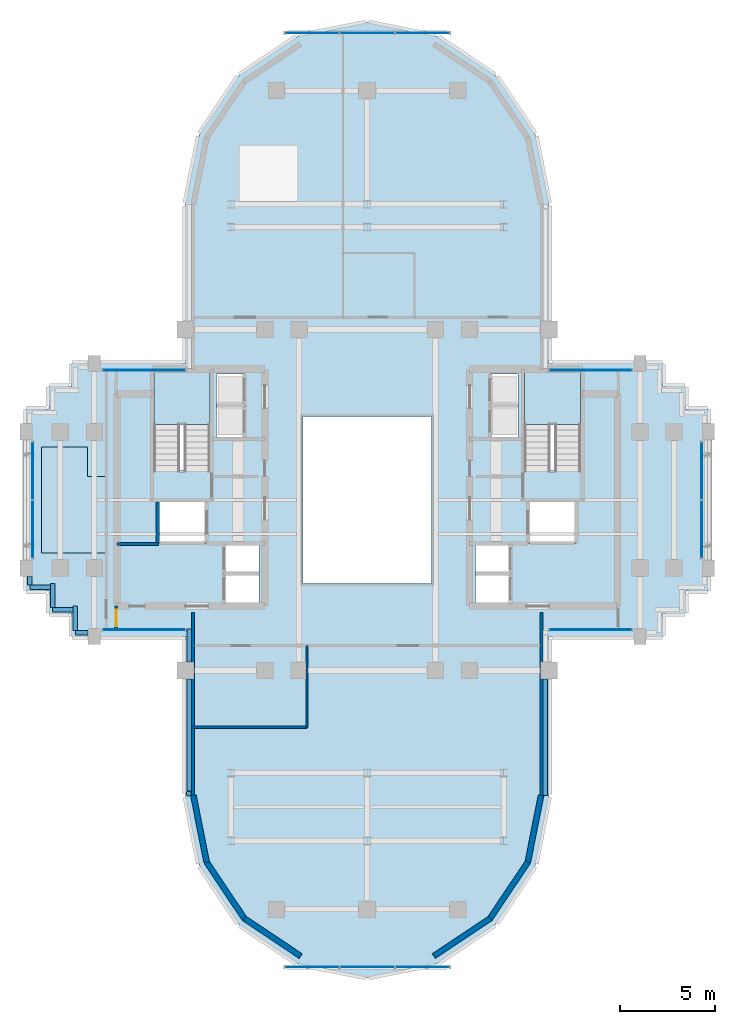
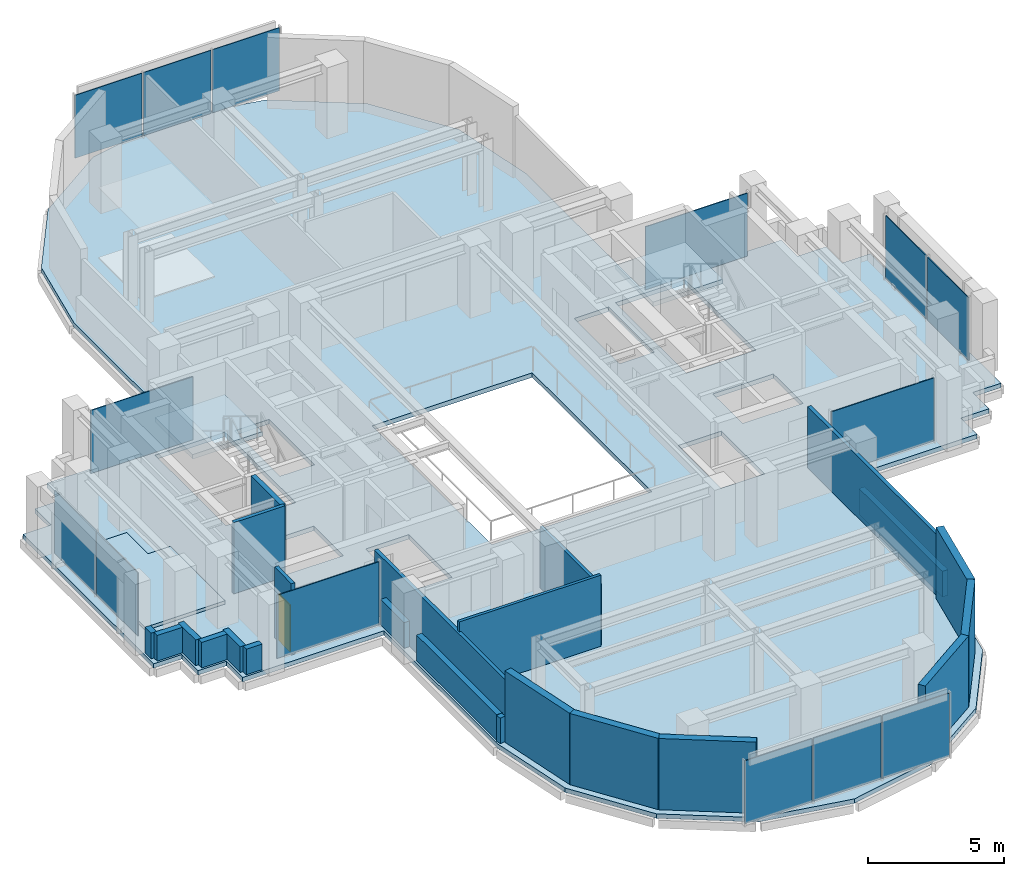
# One storey, part 5 of 12: 23 walls, 14 plates, 4 slabs, 1 door, 1 opening, 10 elements without a shape of their own.
"""IFC4 building model written with IfcOpenShell, lengths in metres."""

from ifc_helpers import new_model, si_unit, direction, frame, frame_2d, origin, origin_2d, place, context, subcontext, project, spatial, polyline, rectangle, outline, extrude, source, transform, mapped, material, layer, layer_set, type_object, element, fill, aggregate, save


model = new_model("IFC4")

# Units and contexts
model_context = context("Model", 3, precision=1e-05, world=origin(), true_north=direction((0.0, 1.0)))
body_context = subcontext(model_context, "Body", "Model", "MODEL_VIEW")
ifc_project = project(units=[si_unit("LENGTHUNIT", "METRE"), si_unit("AREAUNIT", "SQUARE_METRE"), si_unit("VOLUMEUNIT", "CUBIC_METRE"), si_unit("PLANEANGLEUNIT", "RADIAN"), si_unit("MASSUNIT", "GRAM", prefix="KILO")], contexts=[model_context])

# Site, building, storey
site_placement = place(None, origin())
site = spatial("IfcSite", under=ifc_project, at=site_placement, CompositionType="ELEMENT")
building_placement = place(site_placement, origin())
building = spatial("IfcBuilding", under=site, at=building_placement, Name="Keilestroom Media Tower", CompositionType="ELEMENT")
storey_placement = place(building_placement, frame((0.0, 0.0, 177.39990234375)))
storey = spatial("IfcBuildingStorey", under=building, at=storey_placement, Name="L48", CompositionType="ELEMENT", Elevation=177.39990234375)

# Slabs
ifc_material_1 = material(Name="Concrete C50/60", Category="concrete")
ifc_layer_1 = layer(ifc_material_1, 0.199951171875)
ifc_layer_set_1 = layer_set([ifc_layer_1], Name="Concrete C50/60")
slab_type_1 = type_object("IfcSlabType", Name="Composite-Floor-Slab-200", PredefinedType="FLOOR", material=ifc_layer_set_1)
slab_1_placement = place(storey_placement, frame((0.0, 0.0, -0.199951171875)))
element("IfcSlab", 1, at=slab_1_placement, inside=storey, type_object=slab_type_1, Name="L48 Structural Composite Floor Slab", PredefinedType="FLOOR", context=body_context, shape_type="SweptSolid", body=[
    extrude(outline(polyline([(18.0, -4.800048828125), (18.0, 4.800048828125), (16.800048828125, 4.800048828125), (16.800048828125, 6.0), (15.60009765625, 6.0), (15.60009765625, 7.199951171875), (9.60009765625, 7.199951171875), (9.60009765625, 9.60009765625), (9.60009765625, 15.60009765625), (8.869140625, 19.273681640625), (6.7880859375, 22.38818359375), (3.673828125, 24.46923828125), (0.0, 25.199951171875), (-3.673828125, 24.46923828125), (-6.7880859375, 22.38818359375), (-8.869140625, 19.273681640625), (-9.60009765625, 15.60009765625), (-9.60009765625, 9.60009765625), (-9.60009765625, 7.199951171875), (-15.60009765625, 7.199951171875), (-15.60009765625, 6.0), (-16.800048828125, 6.0), (-16.800048828125, 4.800048828125), (-18.0, 4.800048828125), (-18.0, -4.800048828125), (-16.800048828125, -4.800048828125), (-16.800048828125, -6.0), (-15.60009765625, -6.0), (-15.60009765625, -7.199951171875), (-9.60009765625, -7.199951171875), (-9.60009765625, -9.60009765625), (-9.60009765625, -15.60009765625), (-8.869140625, -19.273681640625), (-6.7880859375, -22.38818359375), (-3.673828125, -24.46923828125), (0.0, -25.199951171875), (3.673828125, -24.46923828125), (6.7880859375, -22.38818359375), (8.869140625, -19.273681640625), (9.60009765625, -15.60009765625), (9.60009765625, -9.60009765625), (9.60009765625, -7.199951171875), (15.60009765625, -7.199951171875), (15.60009765625, -6.0), (16.800048828125, -6.0), (16.800048828125, -4.800048828125), (18.0, -4.800048828125)]), holes=[polyline([(-11.260009765625, 1.544921875), (-11.260009765625, 6.760009765625), (-8.300048828125, 6.760009765625), (-8.300048828125, 1.544921875), (-11.260009765625, 1.544921875)]), polyline([(-11.050048828125, -2.280029296875), (-11.050048828125, -0.10009765625), (-8.47998046875, -0.10009765625), (-8.47998046875, -2.280029296875), (-11.050048828125, -2.280029296875)]), polyline([(-7.949951171875, 3.300048828125), (-7.949951171875, 6.64990234375), (-6.47998046875, 6.64990234375), (-6.47998046875, 3.300048828125), (-7.949951171875, 3.300048828125)]), polyline([(-7.56005859375, -2.320068359375), (-5.719970703125, -2.320068359375), (-5.719970703125, -5.47998046875), (-7.56005859375, -5.47998046875), (-7.56005859375, -2.320068359375)]), polyline([(3.39990234375, -4.39990234375), (-3.39990234375, -4.39990234375), (-3.39990234375, 4.39990234375), (3.39990234375, 4.39990234375), (3.39990234375, -4.39990234375)]), polyline([(7.56005859375, -2.320068359375), (7.56005859375, -5.47998046875), (5.719970703125, -5.47998046875), (5.719970703125, -2.320068359375), (7.56005859375, -2.320068359375)]), polyline([(6.47998046875, 3.300048828125), (6.47998046875, 6.64990234375), (7.949951171875, 6.64990234375), (7.949951171875, 3.300048828125), (6.47998046875, 3.300048828125)]), polyline([(8.300048828125, 1.544921875), (8.300048828125, 6.760009765625), (11.260009765625, 6.760009765625), (11.260009765625, 1.544921875), (8.300048828125, 1.544921875)]), polyline([(8.47998046875, -2.280029296875), (8.47998046875, -0.10009765625), (11.050048828125, -0.10009765625), (11.050048828125, -2.280029296875), (8.47998046875, -2.280029296875)])]), origin(), (0.0, 0.0, 1.0), 0.199951171875),
])
ifc_material_2 = material(Name="Concrete C45/55", Category="concrete")
ifc_layer_2 = layer(ifc_material_2, 0.14990234375)
ifc_layer_set_2 = layer_set([ifc_layer_2], Name="Concrete C45/55")
slab_type_2 = type_object("IfcSlabType", Name="Floating-Studio-Floor-Slab-150", PredefinedType="FLOOR", material=ifc_layer_set_2)
slab_2_placement = place(storey_placement, origin())
element("IfcSlab", 2, at=slab_2_placement, inside=storey, type_object=slab_type_2, Name="L48 Acoustic Floating Studio Slab ST-SKY-Z3", PredefinedType="FLOOR", context=body_context, shape_type="SweptSolid", body=[
    extrude(outline(polyline([(-17.199951171875, -2.800048828125), (-13.800048828125, -2.800048828125), (-13.800048828125, 1.23193359375), (-14.751953125, 1.23193359375), (-14.751953125, 2.800048828125), (-17.199951171875, 2.800048828125), (-17.199951171875, -2.800048828125)])), origin(), (0.0, 0.0, 1.0), 0.150146484375),
])

# Stair, slab
stair_type = type_object("IfcStairType", Name="Enclosed-Dog-Leg-Stair-ST-CORE", PredefinedType="HALF_TURN_STAIR", material=ifc_material_2)
stair_1_placement = place(storey_placement, origin())
stair_1 = element("IfcStair", 3, at=stair_1_placement, inside=storey, type_object=stair_type, Name="L48 West Core Escape Stair ST-1", PredefinedType="HALF_TURN_STAIR")
ifc_layer_3 = layer(ifc_material_2, 0.199951171875)
ifc_layer_set_3 = layer_set([ifc_layer_3], Name="Concrete C45/55")
slab_type_3 = type_object("IfcSlabType", Name="Stair-Intermediate-And-Top-Landing-Slab-200", PredefinedType="LANDING", material=ifc_layer_set_3)
slab_3_placement = place(storey_placement, frame((0.0, 0.0, 1.5)))
slab_3 = element("IfcSlab", 4, at=slab_3_placement, type_object=slab_type_3, Name="ST-1 landing 1", PredefinedType="LANDING", context=body_context, shape_type="SweptSolid", body=[
    extrude(outline(polyline([(-8.300048828125, 3.99609375), (-8.300048828125, 6.760009765625), (-11.260009765625, 6.760009765625), (-11.260009765625, 3.99609375), (-8.300048828125, 3.99609375)])), origin(), (0.0, 0.0, 1.0), 0.2001953125),
])
aggregate(stair_1, [slab_3])

stair_2_placement = place(storey_placement, origin())
stair_2 = element("IfcStair", 5, at=stair_2_placement, inside=storey, type_object=stair_type, Name="L48 East Core Escape Stair ST-2", PredefinedType="HALF_TURN_STAIR")
slab_4_placement = place(storey_placement, frame((0.0, 0.0, 1.5)))
slab_4 = element("IfcSlab", 6, at=slab_4_placement, type_object=slab_type_3, Name="ST-2 landing 1", PredefinedType="LANDING", context=body_context, shape_type="SweptSolid", body=[
    extrude(outline(polyline([(11.260009765625, 3.99609375), (11.260009765625, 6.760009765625), (8.300048828125, 6.760009765625), (8.300048828125, 3.99609375), (11.260009765625, 3.99609375)])), origin(), (0.0, 0.0, 1.0), 0.2001953125),
])
aggregate(stair_2, [slab_4])

# Curtain wall, plates
ifc_material_3 = material(Name="Anodised Aluminium Alloy", Category="aluminium")
curtain_wall_type_1 = type_object("IfcCurtainWallType", Name="Unitised-Curtain-Wall-CW-6", PredefinedType="NOTDEFINED", material=ifc_material_3)
curtain_wall_1_placement = place(storey_placement, origin())
curtain_wall_1 = element("IfcCurtainWall", 7, at=curtain_wall_1_placement, inside=storey, type_object=curtain_wall_type_1, Name="L48 Curtain Wall CW-6 CW-L48-LN-1", PredefinedType="NOTDEFINED")
ifc_material_4 = material(Name="Curved-Facet Triple Glazed Unit", Category="glass")
ifc_layer_4 = layer(ifc_material_4, 0.033935546875)
ifc_layer_set_4 = layer_set([ifc_layer_4], Name="Curved-Facet Triple Glazed Unit")
plate_type_1 = type_object("IfcPlateType", Name="Insulated-Curtain-Wall-Glazing-Panel-CW-6", PredefinedType="CURTAIN_PANEL", material=ifc_layer_set_4)
shared_shape_1 = source(origin(), body_context, "Body", "SweptSolid", [
    extrude(rectangle(XDim=2.84375, YDim=0.033935546875, at=origin_2d()), origin(), (0.0, 0.0, 1.0), 2.833984375),
])
plate_1_placement = place(storey_placement, frame((-2.9169921875, 24.64990234375, 0.072998046875), z_axis=(0.0, 0.0, 1.0), x_axis=(1.0, 0.0, 0.0)))
plate_1 = element("IfcPlate", 8, at=plate_1_placement, type_object=plate_type_1, Name="CW-6 Unitised Glazing 00", PredefinedType="CURTAIN_PANEL", context=body_context, shape_type="MappedRepresentation", body=[
    mapped(shared_shape_1, transform((0.0, 0.0, 0.0), x_axis=(1.0, 0.0, 0.0), y_axis=(0.0, 1.0, 0.0), z_axis=(0.0, 0.0, 1.0), scale=1.0)),
])
plate_2_placement = place(storey_placement, frame((2.9169921875, 24.64990234375, 0.072998046875), z_axis=(0.0, 0.0, 1.0), x_axis=(1.0, 0.0, 0.0)))
plate_2 = element("IfcPlate", 9, at=plate_2_placement, type_object=plate_type_1, Name="CW-6 Unitised Glazing 02", PredefinedType="CURTAIN_PANEL", context=body_context, shape_type="MappedRepresentation", body=[
    mapped(shared_shape_1, transform((0.0, 0.0, 0.0), x_axis=(1.0, 0.0, 0.0), y_axis=(0.0, 1.0, 0.0), z_axis=(0.0, 0.0, 1.0), scale=1.0)),
])

curtain_wall_2_placement = place(storey_placement, origin())
curtain_wall_2 = element("IfcCurtainWall", 10, at=curtain_wall_2_placement, inside=storey, type_object=curtain_wall_type_1, Name="L48 Curtain Wall CW-6 CW-L48-LS-1", PredefinedType="NOTDEFINED")
plate_3_placement = place(storey_placement, frame((-2.9169921875, -24.64990234375, 0.072998046875), z_axis=(0.0, 0.0, 1.0), x_axis=(1.0, 0.0, 0.0)))
plate_3 = element("IfcPlate", 11, at=plate_3_placement, type_object=plate_type_1, Name="CW-6 Unitised Glazing 00", PredefinedType="CURTAIN_PANEL", context=body_context, shape_type="MappedRepresentation", body=[
    mapped(shared_shape_1, transform((0.0, 0.0, 0.0), x_axis=(1.0, 0.0, 0.0), y_axis=(0.0, 1.0, 0.0), z_axis=(0.0, 0.0, 1.0), scale=1.0)),
])
plate_4_placement = place(storey_placement, frame((2.9169921875, -24.64990234375, 0.072998046875), z_axis=(0.0, 0.0, 1.0), x_axis=(1.0, 0.0, 0.0)))
plate_4 = element("IfcPlate", 12, at=plate_4_placement, type_object=plate_type_1, Name="CW-6 Unitised Glazing 02", PredefinedType="CURTAIN_PANEL", context=body_context, shape_type="MappedRepresentation", body=[
    mapped(shared_shape_1, transform((0.0, 0.0, 0.0), x_axis=(1.0, 0.0, 0.0), y_axis=(0.0, 1.0, 0.0), z_axis=(0.0, 0.0, 1.0), scale=1.0)),
])

# Plate
shared_shape_2 = source(origin(), body_context, "Body", "SweptSolid", [
    extrude(rectangle(XDim=2.876220703125, YDim=0.033935546875, at=origin_2d()), origin(), (0.0, 0.0, 1.0), 2.833984375),
])
plate_5_placement = place(storey_placement, frame((0.0, 24.64990234375, 0.072998046875), z_axis=(0.0, 0.0, 1.0), x_axis=(1.0, 0.0, 0.0)))
plate_5 = element("IfcPlate", 13, at=plate_5_placement, type_object=plate_type_1, Name="CW-6 Unitised Glazing 01", PredefinedType="CURTAIN_PANEL", context=body_context, shape_type="MappedRepresentation", body=[
    mapped(shared_shape_2, transform((0.0, 0.0, 0.0), x_axis=(1.0, 0.0, 0.0), y_axis=(0.0, 1.0, 0.0), z_axis=(0.0, 0.0, 1.0), scale=1.0)),
])

aggregate(curtain_wall_1, [plate_1, plate_5, plate_2])

plate_6_placement = place(storey_placement, frame((0.0, -24.64990234375, 0.072998046875), z_axis=(0.0, 0.0, 1.0), x_axis=(1.0, 0.0, 0.0)))
plate_6 = element("IfcPlate", 14, at=plate_6_placement, type_object=plate_type_1, Name="CW-6 Unitised Glazing 01", PredefinedType="CURTAIN_PANEL", context=body_context, shape_type="MappedRepresentation", body=[
    mapped(shared_shape_2, transform((0.0, 0.0, 0.0), x_axis=(1.0, 0.0, 0.0), y_axis=(0.0, 1.0, 0.0), z_axis=(0.0, 0.0, 1.0), scale=1.0)),
])

aggregate(curtain_wall_2, [plate_3, plate_6, plate_4])

# Curtain wall, plate
curtain_wall_type_2 = type_object("IfcCurtainWallType", Name="Unitised-Curtain-Wall-CW-3", PredefinedType="NOTDEFINED", material=ifc_material_3)
curtain_wall_3_placement = place(storey_placement, origin())
curtain_wall_3 = element("IfcCurtainWall", 15, at=curtain_wall_3_placement, inside=storey, type_object=curtain_wall_type_2, Name="L48 Curtain Wall CW-3 CW-L48-NW-1", PredefinedType="NOTDEFINED")
ifc_material_5 = material(Name="Triple Glazed Acoustic Low-E Unit", Category="glass")
ifc_layer_5 = layer(ifc_material_5, 0.0380859375)
ifc_layer_set_5 = layer_set([ifc_layer_5], Name="Triple Glazed Acoustic Low-E Unit")
plate_type_2 = type_object("IfcPlateType", Name="Insulated-Curtain-Wall-Glazing-Panel-CW-3", PredefinedType="CURTAIN_PANEL", material=ifc_layer_set_5)
shared_shape_3 = source(origin(), body_context, "Body", "SweptSolid", [
    extrude(rectangle(XDim=4.343017578125, YDim=0.0380859375, at=origin_2d()), origin(), (0.0, 0.0, 1.0), 2.833984375),
])
plate_7_placement = place(storey_placement, frame((-11.782470703125, 6.85009765625, 0.072998046875), z_axis=(0.0, 0.0, 1.0), x_axis=(1.0, 0.0, 0.0)))
plate_7 = element("IfcPlate", 16, at=plate_7_placement, type_object=plate_type_2, Name="CW-3 Unitised Glazing 00", PredefinedType="CURTAIN_PANEL", context=body_context, shape_type="MappedRepresentation", body=[
    mapped(shared_shape_3, transform((0.0, 0.0, 0.0), x_axis=(1.0, 0.0, 0.0), y_axis=(0.0, 1.0, 0.0), z_axis=(0.0, 0.0, 1.0), scale=1.0)),
])
aggregate(curtain_wall_3, [plate_7])

curtain_wall_4_placement = place(storey_placement, origin())
curtain_wall_4 = element("IfcCurtainWall", 17, at=curtain_wall_4_placement, inside=storey, type_object=curtain_wall_type_2, Name="L48 Curtain Wall CW-3 CW-L48-NE-1", PredefinedType="NOTDEFINED")
plate_8_placement = place(storey_placement, frame((11.782470703125, 6.85009765625, 0.072998046875), z_axis=(0.0, 0.0, 1.0), x_axis=(1.0, 0.0, 0.0)))
plate_8 = element("IfcPlate", 18, at=plate_8_placement, type_object=plate_type_2, Name="CW-3 Unitised Glazing 00", PredefinedType="CURTAIN_PANEL", context=body_context, shape_type="MappedRepresentation", body=[
    mapped(shared_shape_3, transform((0.0, 0.0, 0.0), x_axis=(1.0, 0.0, 0.0), y_axis=(0.0, 1.0, 0.0), z_axis=(0.0, 0.0, 1.0), scale=1.0)),
])
aggregate(curtain_wall_4, [plate_8])

curtain_wall_5_placement = place(storey_placement, origin())
curtain_wall_5 = element("IfcCurtainWall", 19, at=curtain_wall_5_placement, inside=storey, type_object=curtain_wall_type_2, Name="L48 Curtain Wall CW-3 CW-L48-SW-1", PredefinedType="NOTDEFINED")
plate_9_placement = place(storey_placement, frame((-11.782470703125, -6.85009765625, 0.072998046875), z_axis=(0.0, 0.0, 1.0), x_axis=(1.0, 0.0, 0.0)))
plate_9 = element("IfcPlate", 20, at=plate_9_placement, type_object=plate_type_2, Name="CW-3 Unitised Glazing 00", PredefinedType="CURTAIN_PANEL", context=body_context, shape_type="MappedRepresentation", body=[
    mapped(shared_shape_3, transform((0.0, 0.0, 0.0), x_axis=(1.0, 0.0, 0.0), y_axis=(0.0, 1.0, 0.0), z_axis=(0.0, 0.0, 1.0), scale=1.0)),
])
aggregate(curtain_wall_5, [plate_9])

curtain_wall_6_placement = place(storey_placement, origin())
curtain_wall_6 = element("IfcCurtainWall", 21, at=curtain_wall_6_placement, inside=storey, type_object=curtain_wall_type_2, Name="L48 Curtain Wall CW-3 CW-L48-SE-1", PredefinedType="NOTDEFINED")
plate_10_placement = place(storey_placement, frame((11.782470703125, -6.85009765625, 0.072998046875), z_axis=(0.0, 0.0, 1.0), x_axis=(1.0, 0.0, 0.0)))
plate_10 = element("IfcPlate", 22, at=plate_10_placement, type_object=plate_type_2, Name="CW-3 Unitised Glazing 00", PredefinedType="CURTAIN_PANEL", context=body_context, shape_type="MappedRepresentation", body=[
    mapped(shared_shape_3, transform((0.0, 0.0, 0.0), x_axis=(1.0, 0.0, 0.0), y_axis=(0.0, 1.0, 0.0), z_axis=(0.0, 0.0, 1.0), scale=1.0)),
])
aggregate(curtain_wall_6, [plate_10])

# Curtain wall, plates
curtain_wall_7_placement = place(storey_placement, origin())
curtain_wall_7 = element("IfcCurtainWall", 23, at=curtain_wall_7_placement, inside=storey, type_object=curtain_wall_type_2, Name="L48 Curtain Wall CW-3 CW-L48-W-1", PredefinedType="NOTDEFINED")
shared_shape_4 = source(origin(), body_context, "Body", "SweptSolid", [
    extrude(rectangle(XDim=3.025390625, YDim=0.0380859375, at=origin_2d()), origin(), (0.0, 0.0, 1.0), 2.833984375),
])
plate_11_placement = place(storey_placement, frame((-17.64990234375, -1.541259765625, 0.072998046875), z_axis=(0.0, 0.0, 1.0), x_axis=(0.0, 1.0, 0.0)))
plate_11 = element("IfcPlate", 24, at=plate_11_placement, type_object=plate_type_2, Name="CW-3 Unitised Glazing 00", PredefinedType="CURTAIN_PANEL", context=body_context, shape_type="MappedRepresentation", body=[
    mapped(shared_shape_4, transform((0.0, 0.0, 0.0), x_axis=(1.0, 0.0, 0.0), y_axis=(0.0, 1.0, 0.0), z_axis=(0.0, 0.0, 1.0), scale=1.0)),
])
plate_12_placement = place(storey_placement, frame((-17.64990234375, 1.541259765625, 0.072998046875), z_axis=(0.0, 0.0, 1.0), x_axis=(0.0, 1.0, 0.0)))
plate_12 = element("IfcPlate", 25, at=plate_12_placement, type_object=plate_type_2, Name="CW-3 Unitised Glazing 01", PredefinedType="CURTAIN_PANEL", context=body_context, shape_type="MappedRepresentation", body=[
    mapped(shared_shape_4, transform((0.0, 0.0, 0.0), x_axis=(1.0, 0.0, 0.0), y_axis=(0.0, 1.0, 0.0), z_axis=(0.0, 0.0, 1.0), scale=1.0)),
])
aggregate(curtain_wall_7, [plate_11, plate_12])

curtain_wall_8_placement = place(storey_placement, origin())
curtain_wall_8 = element("IfcCurtainWall", 26, at=curtain_wall_8_placement, inside=storey, type_object=curtain_wall_type_2, Name="L48 Curtain Wall CW-3 CW-L48-E-1", PredefinedType="NOTDEFINED")
plate_13_placement = place(storey_placement, frame((17.64990234375, -1.541259765625, 0.072998046875), z_axis=(0.0, 0.0, 1.0), x_axis=(0.0, 1.0, 0.0)))
plate_13 = element("IfcPlate", 27, at=plate_13_placement, type_object=plate_type_2, Name="CW-3 Unitised Glazing 00", PredefinedType="CURTAIN_PANEL", context=body_context, shape_type="MappedRepresentation", body=[
    mapped(shared_shape_4, transform((0.0, 0.0, 0.0), x_axis=(1.0, 0.0, 0.0), y_axis=(0.0, 1.0, 0.0), z_axis=(0.0, 0.0, 1.0), scale=1.0)),
])
plate_14_placement = place(storey_placement, frame((17.64990234375, 1.541259765625, 0.072998046875), z_axis=(0.0, 0.0, 1.0), x_axis=(0.0, 1.0, 0.0)))
plate_14 = element("IfcPlate", 28, at=plate_14_placement, type_object=plate_type_2, Name="CW-3 Unitised Glazing 01", PredefinedType="CURTAIN_PANEL", context=body_context, shape_type="MappedRepresentation", body=[
    mapped(shared_shape_4, transform((0.0, 0.0, 0.0), x_axis=(1.0, 0.0, 0.0), y_axis=(0.0, 1.0, 0.0), z_axis=(0.0, 0.0, 1.0), scale=1.0)),
])
aggregate(curtain_wall_8, [plate_13, plate_14])

# Walls
ifc_material_6 = material(Name="Precast concrete C40/50", Category="concrete")
ifc_layer_6 = layer(ifc_material_6, 0.300048828125)
ifc_layer_set_6 = layer_set([ifc_layer_6], Name="Precast concrete C40/50")
wall_type_1 = type_object("IfcWallType", Name="Exterior-Masonry-Spandrel-Wall-300", PredefinedType="SOLIDWALL", material=ifc_layer_set_6)
for number, where, z_axis, x_axis, name in (
    (29, (-9.1748046875, -15.585205078125, 0.0), (0.0, 0.0, 1.0), (0.195114232679, -0.980780523974, 0.0), "L48 Lobe Facet Precast Frame Wall 07"),
    (30, (-8.48193359375, -19.097412109375, 0.0), (0.0, 0.0, 1.0), (0.555574187116, -0.831466970246, 0.0), "L48 Lobe Facet Precast Frame Wall 08"),
):
    element("IfcWall", number, at=place(storey_placement, frame(where, z_axis=z_axis, x_axis=x_axis)), inside=storey, type_object=wall_type_1, Name=name, PredefinedType="SOLIDWALL", context=body_context, shape_type="SweptSolid", body=[
        extrude(rectangle(XDim=3.608642578125, YDim=0.300048828125, at=frame_2d((1.80419921875, 0.0))), origin(), (0.0, 0.0, 1.0), 3.2001953125),
    ])
for number, where, z_axis, x_axis, name in (
    (31, (-6.497802734375, -22.0771484375, 0.0), (0.0, 0.0, 1.0), (0.8314749531, -0.555562239868, 0.0), "L48 Lobe Facet Precast Frame Wall 09"),
    (32, (3.510009765625, -24.073486328125, 0.0), (0.0, 0.0, 1.0), (0.8314749531, 0.555562239868, 0.0), "L48 Lobe Facet Precast Frame Wall 10"),
):
    element("IfcWall", number, at=place(storey_placement, frame(where, z_axis=z_axis, x_axis=x_axis)), inside=storey, type_object=wall_type_1, Name=name, PredefinedType="SOLIDWALL", context=body_context, shape_type="SweptSolid", body=[
        extrude(rectangle(XDim=3.59326171875, YDim=0.300048828125, at=frame_2d((1.796630859375, 0.0))), origin(), (0.0, 0.0, 1.0), 3.2001953125),
    ])
for number, where, z_axis, x_axis, name in (
    (33, (6.47705078125, -22.097900390625, 0.0), (0.0, 0.0, 1.0), (0.555574187116, 0.831466970246, 0.0), "L48 Lobe Facet Precast Frame Wall 11"),
    (34, (8.470703125, -19.12451171875, 0.0), (0.0, 0.0, 1.0), (0.195114232679, 0.980780523974, 0.0), "L48 Lobe Facet Precast Frame Wall 12"),
):
    element("IfcWall", number, at=place(storey_placement, frame(where, z_axis=z_axis, x_axis=x_axis)), inside=storey, type_object=wall_type_1, Name=name, PredefinedType="SOLIDWALL", context=body_context, shape_type="SweptSolid", body=[
        extrude(rectangle(XDim=3.608642578125, YDim=0.300048828125, at=frame_2d((1.80419921875, 0.0))), origin(), (0.0, 0.0, 1.0), 3.2001953125),
    ])
ifc_material_7 = material(Name="Gypsum Plasterboard & Steel Stud", Category="steel")
ifc_layer_7 = layer(ifc_material_7, 0.1201171875)
ifc_layer_set_7 = layer_set([ifc_layer_7], Name="Gypsum Plasterboard & Steel Stud")
wall_type_2 = type_object("IfcWallType", Name="Interior-Partition-Wall-120", PredefinedType="PARTITIONING", material=ifc_layer_set_7)
wall_1_placement = place(storey_placement, frame((-9.199951171875, -12.0, 0.0), z_axis=(0.0, 0.0, 1.0), x_axis=(1.0, 0.0, 0.0)))
element("IfcWall", 35, at=wall_1_placement, inside=storey, type_object=wall_type_2, Name="L48 Interior Wall WP-L48-SL-HM", PredefinedType="PARTITIONING", context=body_context, shape_type="SweptSolid", body=[
    extrude(rectangle(XDim=6.02001953125, YDim=0.1201171875, at=frame_2d((3.010009765625, 0.0))), origin(), (0.0, 0.0, 1.0), 3.2001953125),
])
wall_2_placement = place(storey_placement, frame((-3.179931640625, -12.0, 0.0), z_axis=(0.0, 0.0, 1.0), x_axis=(0.0, 1.0, 0.0)))
element("IfcWall", 36, at=wall_2_placement, inside=storey, type_object=wall_type_2, Name="L48 Interior Wall WP-L48-SL-VM", PredefinedType="PARTITIONING", context=body_context, shape_type="SweptSolid", body=[
    extrude(rectangle(XDim=4.320068359375, YDim=0.1201171875, at=frame_2d((2.16015625, 0.0))), origin(), (0.0, 0.0, 1.0), 2.75),
])
ifc_layer_8 = layer(ifc_material_7, 0.14990234375)
ifc_layer_set_8 = layer_set([ifc_layer_8], Name="Gypsum Plasterboard & Steel Stud")
wall_type_3 = type_object("IfcWallType", Name="Interior-Partition-Wall-150", PredefinedType="PARTITIONING", material=ifc_layer_set_8)
wall_3_placement = place(storey_placement, frame((-13.199951171875, -2.320068359375, 0.0), z_axis=(0.0, 0.0, 1.0), x_axis=(1.0, 0.0, 0.0)))
element("IfcWall", 37, at=wall_3_placement, inside=storey, type_object=wall_type_3, Name="L48 Interior Wall WP-L48-RECLW-N", PredefinedType="PARTITIONING", context=body_context, shape_type="SweptSolid", body=[
    extrude(rectangle(XDim=2.179931640625, YDim=0.14990234375, at=frame_2d((1.08984375, 0.0))), origin(), (0.0, 0.0, 1.0), 3.2001953125),
])
for number, where, z_axis, x_axis, name in (
    (38, (-9.199951171875, -15.679931640625, 0.0), (0.0, 0.0, 1.0), (0.0, 1.0, 0.0), "L48 Interior Wall WP-L48-SL-CHKW"),
    (39, (9.199951171875, -15.679931640625, 0.0), (0.0, 0.0, 1.0), (0.0, 1.0, 0.0), "L48 Interior Wall WP-L48-SL-CHKE"),
):
    element("IfcWall", number, at=place(storey_placement, frame(where, z_axis=z_axis, x_axis=x_axis)), inside=storey, type_object=wall_type_3, Name=name, PredefinedType="PARTITIONING", context=body_context, shape_type="SweptSolid", body=[
        extrude(rectangle(XDim=9.739990234375, YDim=0.14990234375, at=frame_2d((4.8701171875, 0.0))), origin(), (0.0, 0.0, 1.0), 2.75),
    ])

# Wall, opening, door
wall_4_placement = place(storey_placement, frame((-13.260009765625, -6.85009765625, 0.0), z_axis=(0.0, 0.0, 1.0), x_axis=(0.016013571389, 0.999871774545, 0.0)))
wall_4 = element("IfcWall", 40, at=wall_4_placement, inside=storey, type_object=wall_type_3, Name="L48 Interior Wall WP-L48-WA-ENTS", PredefinedType="PARTITIONING", context=body_context, shape_type="SweptSolid", body=[
    extrude(rectangle(XDim=1.250244140625, YDim=0.14990234375, at=frame_2d((0.625, 0.0))), origin(), (0.0, 0.0, 1.0), 3.2001953125),
])
opening_placement = place(wall_4_placement, frame((0.199951171875, 0.0, 0.0)))
opening = element("IfcOpeningElement", 41, at=opening_placement, cuts=wall_4, Name="Opening DI-05", PredefinedType="OPENING", context=body_context, shape_type="SweptSolid", body=[
    extrude(rectangle(XDim=0.85009765625, YDim=2.10009765625, at=frame_2d((0.425048828125, 1.050048828125))), frame((0.0, 0.0849609375, 0.0), z_axis=(0.0, -1.0, 0.0), x_axis=(1.0, 0.0, 0.0)), (0.0, 0.0, 1.0), 0.169921875),
])
ifc_material_8 = material(Name="Moisture-Resistant Oak Leaf", Category="wood")
door_type = type_object("IfcDoorType", Name="Interior-En-Suite-And-Cupboard-Door-DI-05", OperationType="NOTDEFINED", PredefinedType="DOOR", material=ifc_material_8)
shared_shape_5 = source(origin(), body_context, "Body", "SweptSolid", [
    extrude(rectangle(XDim=0.85009765625, YDim=2.10009765625, at=frame_2d((0.425048828125, 1.050048828125))), frame((0.0, 0.02490234375, 0.0), z_axis=(0.0, -1.0, 0.0), x_axis=(1.0, 0.0, 0.0)), (0.0, 0.0, 1.0), 0.050048828125),
])
door_placement = place(opening_placement, origin())
door = element("IfcDoor", 42, at=door_placement, inside=storey, type_object=door_type, Name="L48 Interior Door DI-L48-DWA-ENTS", OperationType="SINGLE_SWING_RIGHT", OverallHeight=2.10009765625, OverallWidth=0.85009765625, PredefinedType="DOOR", context=body_context, shape_type="MappedRepresentation", body=[
    mapped(shared_shape_5, transform((0.0, 0.0, 0.0), x_axis=(1.0, 0.0, 0.0), y_axis=(0.0, 1.0, 0.0), z_axis=(0.0, 0.0, 1.0), scale=1.0)),
])
fill(opening, door)

# Walls
ifc_layer_9 = layer(ifc_material_1, 0.199951171875)
ifc_layer_set_9 = layer_set([ifc_layer_9], Name="Concrete C50/60")
wall_type_4 = type_object("IfcWallType", Name="Reinforced-Concrete-Shaft-Wall-200", PredefinedType="SOLIDWALL", material=ifc_layer_set_9)
wall_5_placement = place(storey_placement, frame((-11.050048828125, -2.280029296875, 0.0), z_axis=(0.0, 0.0, 1.0), x_axis=(0.0, 1.0, 0.0)))
element("IfcWall", 43, at=wall_5_placement, inside=storey, type_object=wall_type_4, Name="L48 Core Shear Wall WL-L48-LSH-FFL-1-W", PredefinedType="SOLIDWALL", context=body_context, shape_type="SweptSolid", body=[
    extrude(rectangle(XDim=2.179931640625, YDim=0.199951171875, at=frame_2d((1.08984375, 0.0))), origin(), (0.0, 0.0, 1.0), 3.2001953125),
])
ifc_layer_10 = layer(ifc_material_6, 0.239990234375)
ifc_layer_set_10 = layer_set([ifc_layer_10], Name="Precast concrete C40/50")
wall_type_5 = type_object("IfcWallType", Name="Roof-And-Terrace-Parapet-Wall-240", PredefinedType="PARAPET", material=ifc_layer_set_10)
wall_6_placement = place(storey_placement, frame((9.39990234375, -9.452880859375, 0.0), z_axis=(0.0, 0.0, 1.0), x_axis=(0.0, -1.0, 0.0)))
element("IfcWall", 44, at=wall_6_placement, inside=storey, type_object=wall_type_5, Name="L48 Perimeter Edge Parapet Wall 08", PredefinedType="PARAPET", context=body_context, shape_type="SweptSolid", body=[
    extrude(rectangle(XDim=6.14990234375, YDim=0.239990234375, at=frame_2d((3.074951171875, 0.0))), origin(), (0.0, 0.0, 1.0), 1.150146484375),
])
wall_7_placement = place(storey_placement, frame((-9.395263671875, -15.604248046875, 0.0), z_axis=(0.0, 0.0, 1.0), x_axis=(-0.194652052864, 0.980872355771, 0.0)))
element("IfcWall", 45, at=wall_7_placement, inside=storey, type_object=wall_type_5, Name="L48 Perimeter Edge Parapet Wall 09", PredefinedType="PARAPET", context=body_context, shape_type="SweptSolid", body=[
    extrude(rectangle(XDim=0.224609375, YDim=0.239990234375, at=frame_2d((0.1123046875, 0.0))), origin(), (0.0, 0.0, 1.0), 1.150146484375),
])
wall_8_placement = place(storey_placement, frame((-9.39990234375, -15.357666015625, 0.0), z_axis=(0.0, 0.0, 1.0), x_axis=(0.0, 1.0, 0.0)))
element("IfcWall", 46, at=wall_8_placement, inside=storey, type_object=wall_type_5, Name="L48 Perimeter Edge Parapet Wall 10", PredefinedType="PARAPET", context=body_context, shape_type="SweptSolid", body=[
    extrude(rectangle(XDim=5.90478515625, YDim=0.239990234375, at=frame_2d((2.952392578125, 0.0))), origin(), (0.0, 0.0, 1.0), 1.150146484375),
])
wall_9_placement = place(storey_placement, frame((-9.39990234375, -8.547119140625, 0.0), z_axis=(0.0, 0.0, 1.0), x_axis=(0.0, 1.0, 0.0)))
element("IfcWall", 47, at=wall_9_placement, inside=storey, type_object=wall_type_5, Name="L48 Perimeter Edge Parapet Wall 11", PredefinedType="PARAPET", context=body_context, shape_type="SweptSolid", body=[
    extrude(rectangle(XDim=1.728271484375, YDim=0.239990234375, at=frame_2d((0.8642578125, 0.0))), origin(), (0.0, 0.0, 1.0), 1.150146484375),
])
wall_10_placement = place(storey_placement, frame((-14.72802734375, -7.0, 0.0), z_axis=(0.0, 0.0, 1.0), x_axis=(-1.0, 0.0, 0.0)))
element("IfcWall", 48, at=wall_10_placement, inside=storey, type_object=wall_type_5, Name="L48 Perimeter Edge Parapet Wall 12", PredefinedType="PARAPET", context=body_context, shape_type="SweptSolid", body=[
    extrude(rectangle(XDim=0.671875, YDim=0.239990234375, at=frame_2d((0.3359375, 0.0))), origin(), (0.0, 0.0, 1.0), 1.150146484375),
])
wall_11_placement = place(storey_placement, frame((-15.39990234375, -6.876953125, 0.0), z_axis=(0.0, 0.0, 1.0), x_axis=(0.0, 1.0, 0.0)))
element("IfcWall", 49, at=wall_11_placement, inside=storey, type_object=wall_type_5, Name="L48 Perimeter Edge Parapet Wall 13", PredefinedType="PARAPET", context=body_context, shape_type="SweptSolid", body=[
    extrude(rectangle(XDim=1.27685546875, YDim=0.239990234375, at=frame_2d((0.638427734375, 0.0))), origin(), (0.0, 0.0, 1.0), 1.150146484375),
])
wall_12_placement = place(storey_placement, frame((-15.52294921875, -5.800048828125, 0.0), z_axis=(0.0, 0.0, 1.0), x_axis=(-1.0, 0.0, 0.0)))
element("IfcWall", 50, at=wall_12_placement, inside=storey, type_object=wall_type_5, Name="L48 Perimeter Edge Parapet Wall 14", PredefinedType="PARAPET", context=body_context, shape_type="SweptSolid", body=[
    extrude(rectangle(XDim=1.0771484375, YDim=0.239990234375, at=frame_2d((0.53857421875, 0.0))), origin(), (0.0, 0.0, 1.0), 1.150146484375),
])
wall_13_placement = place(storey_placement, frame((-16.60009765625, -5.677001953125, 0.0), z_axis=(0.0, 0.0, 1.0), x_axis=(0.0, 1.0, 0.0)))
element("IfcWall", 51, at=wall_13_placement, inside=storey, type_object=wall_type_5, Name="L48 Perimeter Edge Parapet Wall 15", PredefinedType="PARAPET", context=body_context, shape_type="SweptSolid", body=[
    extrude(rectangle(XDim=1.277099609375, YDim=0.239990234375, at=frame_2d((0.638671875, 0.0))), origin(), (0.0, 0.0, 1.0), 1.150146484375),
])
wall_14_placement = place(storey_placement, frame((-16.722900390625, -4.60009765625, 0.0), z_axis=(0.0, 0.0, 1.0), x_axis=(-1.0, 0.0, 0.0)))
element("IfcWall", 52, at=wall_14_placement, inside=storey, type_object=wall_type_5, Name="L48 Perimeter Edge Parapet Wall 16", PredefinedType="PARAPET", context=body_context, shape_type="SweptSolid", body=[
    extrude(rectangle(XDim=1.0771484375, YDim=0.239990234375, at=frame_2d((0.53857421875, 0.0))), origin(), (0.0, 0.0, 1.0), 1.150146484375),
])
wall_15_placement = place(storey_placement, frame((-17.800048828125, -4.47705078125, 0.0), z_axis=(0.0, 0.0, 1.0), x_axis=(0.0, 1.0, 0.0)))
element("IfcWall", 53, at=wall_15_placement, inside=storey, type_object=wall_type_5, Name="L48 Perimeter Edge Parapet Wall 17", PredefinedType="PARAPET", context=body_context, shape_type="SweptSolid", body=[
    extrude(rectangle(XDim=0.448974609375, YDim=0.239990234375, at=frame_2d((0.224609375, 0.0))), origin(), (0.0, 0.0, 1.0), 1.150146484375),
])

save(model, "model.ifc")
